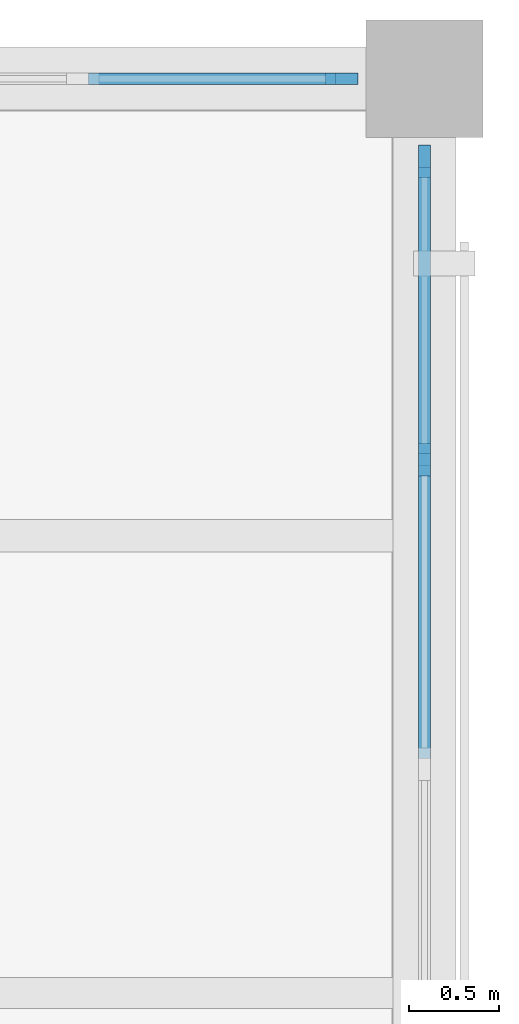
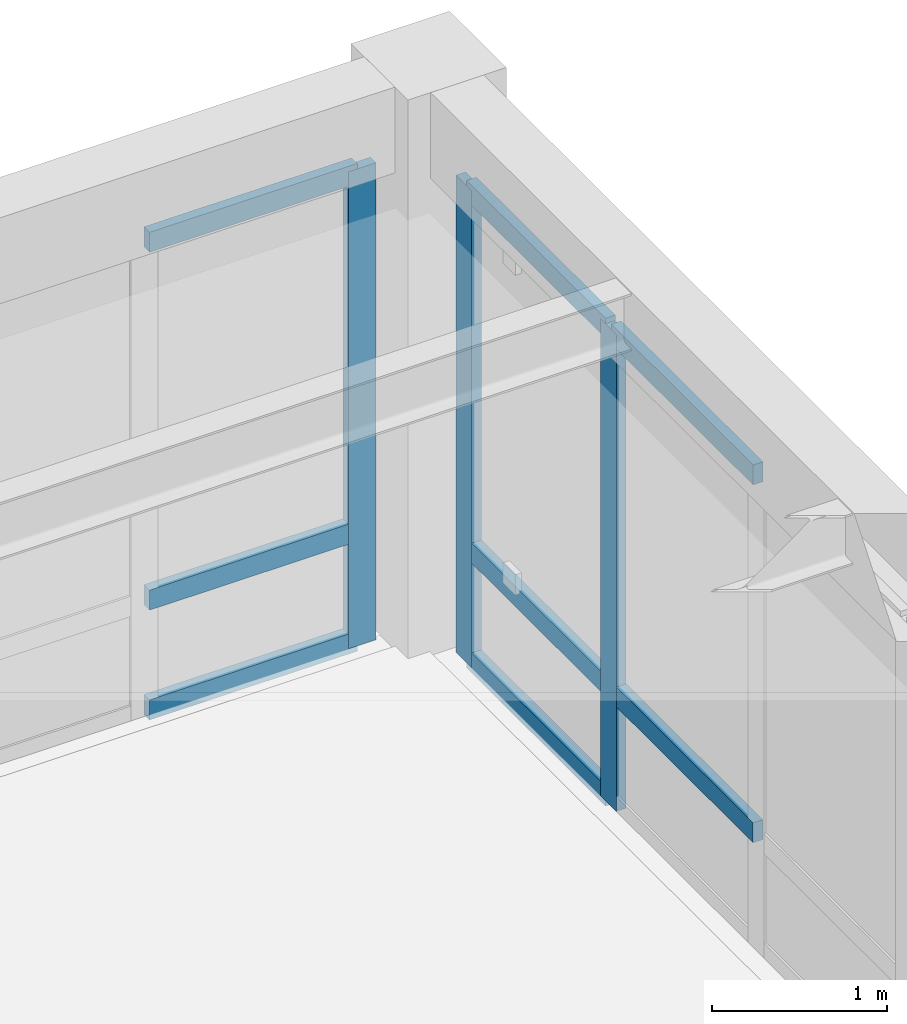
# One storey, part 6 of 16: 11 members, 2 elements without a shape of their own.
"""IFC4 building model written with IfcOpenShell, lengths in metres."""

from ifc_helpers import new_model, si_unit, direction, frame, origin, origin_2d, place, context, subcontext, project, spatial, rectangle, extrude, material, material_profile, profile_set, type_object, element, aggregate, save


model = new_model("IFC4")

# Units and contexts
model_context = context("Model", 3, precision=1e-05, world=origin(), true_north=direction((0.0, 1.0)))
body_context = subcontext(model_context, "Body", "Model", "MODEL_VIEW")
ifc_project = project(units=[si_unit("LENGTHUNIT", "METRE"), si_unit("AREAUNIT", "SQUARE_METRE"), si_unit("VOLUMEUNIT", "CUBIC_METRE"), si_unit("PLANEANGLEUNIT", "RADIAN"), si_unit("MASSUNIT", "GRAM", prefix="KILO")], contexts=[model_context])

# Site, building, storey
site_placement = place(None, origin())
site = spatial("IfcSite", under=ifc_project, at=site_placement, CompositionType="ELEMENT")
building_placement = place(site_placement, origin())
building = spatial("IfcBuilding", under=site, at=building_placement, Name="Qandaris Square Conservatory and Botanical Centre", CompositionType="ELEMENT")
storey_placement = place(building_placement, frame((0.0, 0.0, 24.0)))
storey = spatial("IfcBuildingStorey", under=building, at=storey_placement, Name="L05", CompositionType="ELEMENT", Elevation=24.0)

# Curtain wall, members
ifc_material = material(Name="Anodised Aluminium", Category="aluminium")
curtain_wall_type_1 = type_object("IfcCurtainWallType", Name="Unitised Curtain Wall CW-4-675x333", PredefinedType="USERDEFINED", material=ifc_material)
curtain_wall_1_placement = place(storey_placement, origin())
curtain_wall_1 = element("IfcCurtainWall", 1, at=curtain_wall_1_placement, inside=storey, type_object=curtain_wall_type_1, Name="Curtain Wall CW-TWR-L05-2-8", ObjectType="GLAZED CURTAIN WALL", PredefinedType="USERDEFINED")
ifc_material_profile_1 = material_profile(ifc_material, rectangle(XDim=0.06494140625, YDim=0.179931640625, at=origin_2d()), Name="ALU-MUL 65x180")
ifc_profile_set_1 = profile_set([ifc_material_profile_1], Name="Anodised Aluminium")
member_type_1 = type_object("IfcMemberType", Name="Curtain Wall Mullion 65x180", PredefinedType="MULLION", material=ifc_profile_set_1)
member_1_placement = place(storey_placement, frame((163.800048828125, 75.28759765625, 0.0), z_axis=(0.0, 0.0, 1.0), x_axis=(-1.0, 0.0, 0.0)))
member_1 = element("IfcMember", 2, at=member_1_placement, type_object=member_type_1, Name="CW-4-675x333 mullion 4", PredefinedType="MULLION", context=body_context, shape_type="SweptSolid", body=[
    extrude(rectangle(XDim=0.06494140625, YDim=0.179931640625, at=origin_2d()), origin(), (0.0, 0.0, 1.0), 3.330078125),
])
member_2_placement = place(storey_placement, frame((163.800048828125, 76.9423828125, 0.0), z_axis=(0.0, 0.0, 1.0), x_axis=(-1.0, 0.0, 0.0)))
member_2 = element("IfcMember", 3, at=member_2_placement, type_object=member_type_1, Name="CW-4-675x333 mullion 5", PredefinedType="MULLION", context=body_context, shape_type="SweptSolid", body=[
    extrude(rectangle(XDim=0.06494140625, YDim=0.179931640625, at=origin_2d()), origin(), (0.0, 0.0, 1.0), 3.330078125),
])

# Curtain wall, member
curtain_wall_type_2 = type_object("IfcCurtainWallType", Name="Unitised Curtain Wall CW-3-735x333", PredefinedType="USERDEFINED", material=ifc_material)
curtain_wall_2_placement = place(storey_placement, origin())
curtain_wall_2 = element("IfcCurtainWall", 4, at=curtain_wall_2_placement, inside=storey, type_object=curtain_wall_type_2, Name="Curtain Wall CW-TWR-L05-3-1", ObjectType="GLAZED CURTAIN WALL", PredefinedType="USERDEFINED")
member_3_placement = place(storey_placement, frame((163.342529296875, 77.39990234375, 0.0), z_axis=(0.0, 0.0, 1.0), x_axis=(0.0, -1.0, 0.0)))
member_3 = element("IfcMember", 5, at=member_3_placement, type_object=member_type_1, Name="CW-3-735x333 mullion 1", PredefinedType="MULLION", context=body_context, shape_type="SweptSolid", body=[
    extrude(rectangle(XDim=0.06494140625, YDim=0.179931640625, at=origin_2d()), origin(), (0.0, 0.0, 1.0), 3.330078125),
])

# Member
ifc_material_profile_2 = material_profile(ifc_material, rectangle(XDim=0.06494140625, YDim=0.139892578125, at=origin_2d()), Name="ALU-TRN 65x140")
ifc_profile_set_2 = profile_set([ifc_material_profile_2], Name="Anodised Aluminium")
member_type_2 = type_object("IfcMemberType", Name="Curtain Wall Transom 65x140", PredefinedType="USERDEFINED", material=ifc_profile_set_2)
member_4_placement = place(storey_placement, frame((163.800048828125, 73.632568359375, 0.79931640625), z_axis=(0.0, 1.0, 0.0), x_axis=(-1.0, 0.0, 0.0)))
member_4 = element("IfcMember", 6, at=member_4_placement, type_object=member_type_2, Name="CW-4-675x333 transom 3.2", ObjectType="TRANSOM", PredefinedType="USERDEFINED", context=body_context, shape_type="SweptSolid", body=[
    extrude(rectangle(XDim=0.06494140625, YDim=0.139892578125, at=origin_2d()), origin(), (0.0, 0.0, 1.0), 1.622314453125),
])

member_5_placement = place(storey_placement, frame((163.800048828125, 73.632568359375, 3.297607421875), z_axis=(0.0, 1.0, 0.0), x_axis=(-1.0, 0.0, 0.0)))
member_5 = element("IfcMember", 7, at=member_5_placement, type_object=member_type_2, Name="CW-4-675x333 transom 3.3", ObjectType="TRANSOM", PredefinedType="USERDEFINED", context=body_context, shape_type="SweptSolid", body=[
    extrude(rectangle(XDim=0.06494140625, YDim=0.139892578125, at=origin_2d()), origin(), (0.0, 0.0, 1.0), 1.622314453125),
])

member_6_placement = place(storey_placement, frame((163.800048828125, 75.320068359375, 0.032470703125), z_axis=(0.0, 1.0, 0.0), x_axis=(-1.0, 0.0, 0.0)))
member_6 = element("IfcMember", 8, at=member_6_placement, type_object=member_type_2, Name="CW-4-675x333 transom 4.1", ObjectType="TRANSOM", PredefinedType="USERDEFINED", context=body_context, shape_type="SweptSolid", body=[
    extrude(rectangle(XDim=0.06494140625, YDim=0.139892578125, at=origin_2d()), origin(), (0.0, 0.0, 1.0), 1.58984375),
])

member_7_placement = place(storey_placement, frame((163.800048828125, 75.320068359375, 0.79931640625), z_axis=(0.0, 1.0, 0.0), x_axis=(-1.0, 0.0, 0.0)))
member_7 = element("IfcMember", 9, at=member_7_placement, type_object=member_type_2, Name="CW-4-675x333 transom 4.2", ObjectType="TRANSOM", PredefinedType="USERDEFINED", context=body_context, shape_type="SweptSolid", body=[
    extrude(rectangle(XDim=0.06494140625, YDim=0.139892578125, at=origin_2d()), origin(), (0.0, 0.0, 1.0), 1.58984375),
])

member_8_placement = place(storey_placement, frame((163.800048828125, 75.320068359375, 3.297607421875), z_axis=(0.0, 1.0, 0.0), x_axis=(-1.0, 0.0, 0.0)))
member_8 = element("IfcMember", 10, at=member_8_placement, type_object=member_type_2, Name="CW-4-675x333 transom 4.3", ObjectType="TRANSOM", PredefinedType="USERDEFINED", context=body_context, shape_type="SweptSolid", body=[
    extrude(rectangle(XDim=0.06494140625, YDim=0.139892578125, at=origin_2d()), origin(), (0.0, 0.0, 1.0), 1.58984375),
])

aggregate(curtain_wall_1, [member_1, member_2, member_4, member_5, member_6, member_7, member_8])

member_9_placement = place(storey_placement, frame((163.31005859375, 77.39990234375, 0.032470703125), z_axis=(-1.0, 0.0, 0.0), x_axis=(0.0, -1.0, 0.0)))
member_9 = element("IfcMember", 11, at=member_9_placement, type_object=member_type_2, Name="CW-3-735x333 transom 1.1", ObjectType="TRANSOM", PredefinedType="USERDEFINED", context=body_context, shape_type="SweptSolid", body=[
    extrude(rectangle(XDim=0.06494140625, YDim=0.139892578125, at=origin_2d()), origin(), (0.0, 0.0, 1.0), 1.37255859375),
])

member_10_placement = place(storey_placement, frame((163.31005859375, 77.39990234375, 0.79931640625), z_axis=(-1.0, 0.0, 0.0), x_axis=(0.0, -1.0, 0.0)))
member_10 = element("IfcMember", 12, at=member_10_placement, type_object=member_type_2, Name="CW-3-735x333 transom 1.2", ObjectType="TRANSOM", PredefinedType="USERDEFINED", context=body_context, shape_type="SweptSolid", body=[
    extrude(rectangle(XDim=0.06494140625, YDim=0.139892578125, at=origin_2d()), origin(), (0.0, 0.0, 1.0), 1.37255859375),
])

member_11_placement = place(storey_placement, frame((163.31005859375, 77.39990234375, 3.297607421875), z_axis=(-1.0, 0.0, 0.0), x_axis=(0.0, -1.0, 0.0)))
member_11 = element("IfcMember", 13, at=member_11_placement, type_object=member_type_2, Name="CW-3-735x333 transom 1.3", ObjectType="TRANSOM", PredefinedType="USERDEFINED", context=body_context, shape_type="SweptSolid", body=[
    extrude(rectangle(XDim=0.06494140625, YDim=0.139892578125, at=origin_2d()), origin(), (0.0, 0.0, 1.0), 1.37255859375),
])

aggregate(curtain_wall_2, [member_3, member_9, member_10, member_11])

save(model, "model.ifc")
